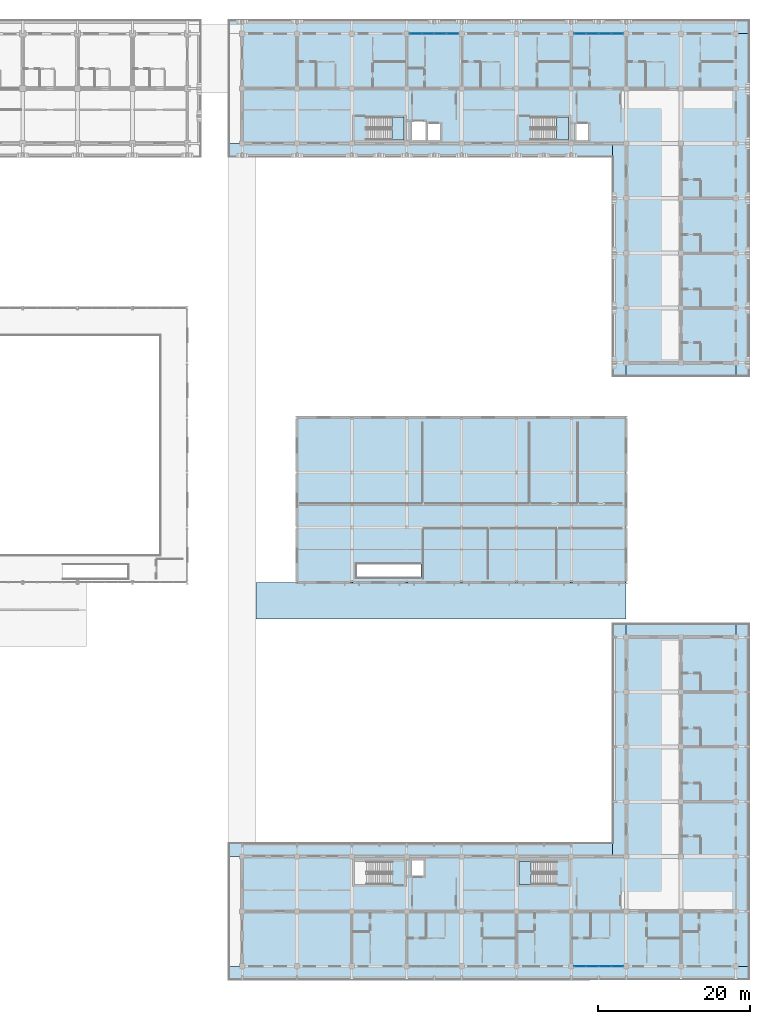
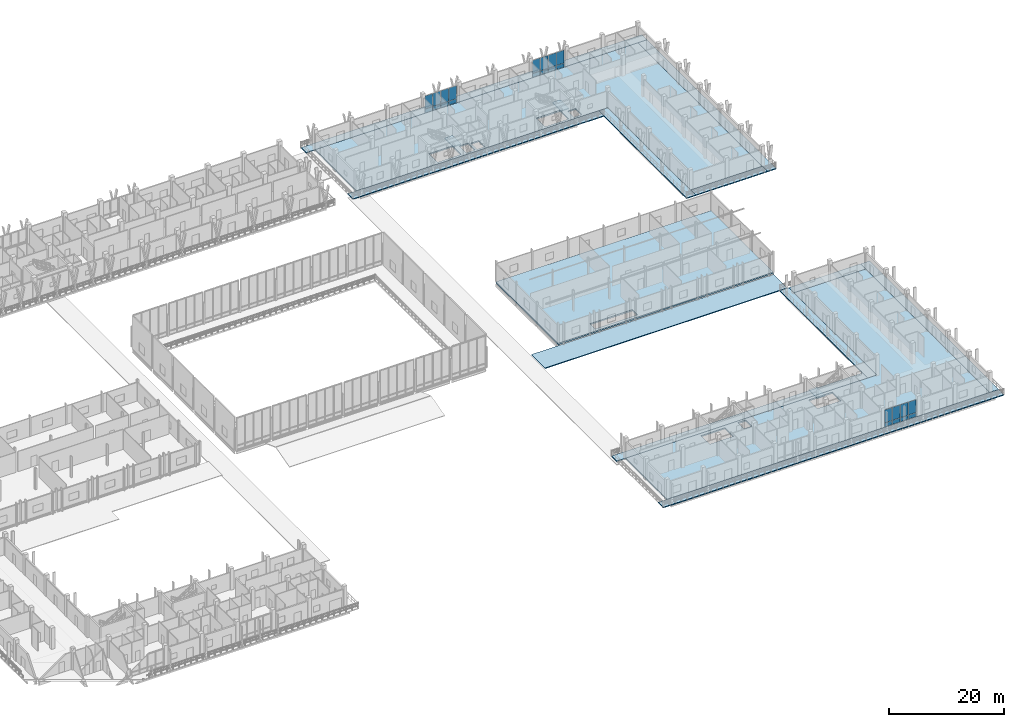
# One storey, part 61 of 110: 24 plates, 17 slabs, 6 elements without a shape of their own.
"""IFC4 building model written with IfcOpenShell, lengths in metres."""

from ifc_helpers import new_model, si_unit, direction, frame, origin, origin_2d, place, context, subcontext, project, spatial, polyline, rectangle, outline, extrude, material, layer, layer_set, type_object, element, aggregate, save


model = new_model("IFC4")

# Units and contexts
model_context = context("Model", 3, precision=1e-05, world=origin(), true_north=direction((0.0, 1.0)))
body_context = subcontext(model_context, "Body", "Model", "MODEL_VIEW")
ifc_project = project(units=[si_unit("LENGTHUNIT", "METRE"), si_unit("AREAUNIT", "SQUARE_METRE"), si_unit("VOLUMEUNIT", "CUBIC_METRE"), si_unit("PLANEANGLEUNIT", "RADIAN"), si_unit("MASSUNIT", "GRAM", prefix="KILO")], contexts=[model_context])

# Site, building, storey
site_placement = place(None, origin())
site = spatial("IfcSite", under=ifc_project, at=site_placement, CompositionType="ELEMENT")
building_placement = place(site_placement, origin())
building = spatial("IfcBuilding", under=site, at=building_placement, Name="Suanplinth Sawtooth Commons", CompositionType="ELEMENT")
storey_placement = place(building_placement, frame((0.0, 0.0, 4.5)))
storey = spatial("IfcBuildingStorey", under=building, at=storey_placement, Name="L01", CompositionType="ELEMENT", Elevation=4.5)

# Curtain wall, plates
ifc_material_1 = material(Name="Anodized aluminium and low-E glazing", Category="aluminium")
curtain_wall_type = type_object("IfcCurtainWallType", Name="CW-06", PredefinedType="USERDEFINED", material=ifc_material_1)
curtain_wall_1_placement = place(storey_placement, origin())
curtain_wall_1 = element("IfcCurtainWall", 1, at=curtain_wall_1_placement, inside=storey, type_object=curtain_wall_type, Name="Curtain Wall CW-L01-B-LOUNGE-20", ObjectType="CURTAIN WALL", PredefinedType="USERDEFINED")
ifc_material_2 = material(Name="Tempered low-E double glazing", Category="glass")
ifc_layer_1 = layer(ifc_material_2, 0.028076171875, Name="Vision low-E insulated glazing unit 28mm")
ifc_layer_set_1 = layer_set([ifc_layer_1], Name="Tempered low-E double glazing")
plate_type = type_object("IfcPlateType", Name="PL-05", PredefinedType="CURTAIN_PANEL", material=ifc_layer_set_1)
plate_1_placement = place(storey_placement, frame((145.1787109375, 122.39990234375, 0.06494140625), z_axis=(0.0, 0.0, 1.0), x_axis=(1.0, 0.0, 0.0)))
plate_1 = element("IfcPlate", 2, at=plate_1_placement, type_object=plate_type, Name="CW-06 panel 1.1", PredefinedType="CURTAIN_PANEL", context=body_context, shape_type="SweptSolid", body=[
    extrude(rectangle(XDim=1.527587890625, YDim=0.028076171875, at=origin_2d()), origin(), (0.0, 0.0, 1.0), 0.802490234375),
])
plate_2_placement = place(storey_placement, frame((145.1787109375, 122.39990234375, 0.9326171875), z_axis=(0.0, 0.0, 1.0), x_axis=(1.0, 0.0, 0.0)))
plate_2 = element("IfcPlate", 3, at=plate_2_placement, type_object=plate_type, Name="CW-06 panel 1.2", PredefinedType="CURTAIN_PANEL", context=body_context, shape_type="SweptSolid", body=[
    extrude(rectangle(XDim=1.527587890625, YDim=0.028076171875, at=origin_2d()), origin(), (0.0, 0.0, 1.0), 2.732421875),
])
plate_3_placement = place(storey_placement, frame((146.78759765625, 122.39990234375, 0.06494140625), z_axis=(0.0, 0.0, 1.0), x_axis=(1.0, 0.0, 0.0)))
plate_3 = element("IfcPlate", 4, at=plate_3_placement, type_object=plate_type, Name="CW-06 panel 2.1", PredefinedType="CURTAIN_PANEL", context=body_context, shape_type="SweptSolid", body=[
    extrude(rectangle(XDim=1.56005859375, YDim=0.028076171875, at=origin_2d()), origin(), (0.0, 0.0, 1.0), 0.802490234375),
])
plate_4_placement = place(storey_placement, frame((146.78759765625, 122.39990234375, 0.9326171875), z_axis=(0.0, 0.0, 1.0), x_axis=(1.0, 0.0, 0.0)))
plate_4 = element("IfcPlate", 5, at=plate_4_placement, type_object=plate_type, Name="CW-06 panel 2.2", PredefinedType="CURTAIN_PANEL", context=body_context, shape_type="SweptSolid", body=[
    extrude(rectangle(XDim=1.56005859375, YDim=0.028076171875, at=origin_2d()), origin(), (0.0, 0.0, 1.0), 2.732421875),
])
plate_5_placement = place(storey_placement, frame((148.41259765625, 122.39990234375, 0.06494140625), z_axis=(0.0, 0.0, 1.0), x_axis=(1.0, 0.0, 0.0)))
plate_5 = element("IfcPlate", 6, at=plate_5_placement, type_object=plate_type, Name="CW-06 panel 3.1", PredefinedType="CURTAIN_PANEL", context=body_context, shape_type="SweptSolid", body=[
    extrude(rectangle(XDim=1.56005859375, YDim=0.028076171875, at=origin_2d()), origin(), (0.0, 0.0, 1.0), 0.802490234375),
])
plate_6_placement = place(storey_placement, frame((148.41259765625, 122.39990234375, 0.9326171875), z_axis=(0.0, 0.0, 1.0), x_axis=(1.0, 0.0, 0.0)))
plate_6 = element("IfcPlate", 7, at=plate_6_placement, type_object=plate_type, Name="CW-06 panel 3.2", PredefinedType="CURTAIN_PANEL", context=body_context, shape_type="SweptSolid", body=[
    extrude(rectangle(XDim=1.56005859375, YDim=0.028076171875, at=origin_2d()), origin(), (0.0, 0.0, 1.0), 2.732421875),
])
plate_7_placement = place(storey_placement, frame((150.021240234375, 122.39990234375, 0.06494140625), z_axis=(0.0, 0.0, 1.0), x_axis=(1.0, 0.0, 0.0)))
plate_7 = element("IfcPlate", 8, at=plate_7_placement, type_object=plate_type, Name="CW-06 panel 4.1", PredefinedType="CURTAIN_PANEL", context=body_context, shape_type="SweptSolid", body=[
    extrude(rectangle(XDim=1.527587890625, YDim=0.028076171875, at=origin_2d()), origin(), (0.0, 0.0, 1.0), 0.802490234375),
])
plate_8_placement = place(storey_placement, frame((150.021240234375, 122.39990234375, 0.9326171875), z_axis=(0.0, 0.0, 1.0), x_axis=(1.0, 0.0, 0.0)))
plate_8 = element("IfcPlate", 9, at=plate_8_placement, type_object=plate_type, Name="CW-06 panel 4.2", PredefinedType="CURTAIN_PANEL", context=body_context, shape_type="SweptSolid", body=[
    extrude(rectangle(XDim=1.527587890625, YDim=0.028076171875, at=origin_2d()), origin(), (0.0, 0.0, 1.0), 2.732421875),
])
aggregate(curtain_wall_1, [plate_1, plate_2, plate_3, plate_4, plate_5, plate_6, plate_7, plate_8])

curtain_wall_2_placement = place(storey_placement, origin())
curtain_wall_2 = element("IfcCurtainWall", 10, at=curtain_wall_2_placement, inside=storey, type_object=curtain_wall_type, Name="Curtain Wall CW-L01-B-LOUNGE-23", ObjectType="CURTAIN WALL", PredefinedType="USERDEFINED")
plate_9_placement = place(storey_placement, frame((166.77880859375, 122.39990234375, 0.06494140625), z_axis=(0.0, 0.0, 1.0), x_axis=(1.0, 0.0, 0.0)))
plate_9 = element("IfcPlate", 11, at=plate_9_placement, type_object=plate_type, Name="CW-06 panel 1.1", PredefinedType="CURTAIN_PANEL", context=body_context, shape_type="SweptSolid", body=[
    extrude(rectangle(XDim=1.527587890625, YDim=0.028076171875, at=origin_2d()), origin(), (0.0, 0.0, 1.0), 0.802490234375),
])
plate_10_placement = place(storey_placement, frame((166.77880859375, 122.39990234375, 0.9326171875), z_axis=(0.0, 0.0, 1.0), x_axis=(1.0, 0.0, 0.0)))
plate_10 = element("IfcPlate", 12, at=plate_10_placement, type_object=plate_type, Name="CW-06 panel 1.2", PredefinedType="CURTAIN_PANEL", context=body_context, shape_type="SweptSolid", body=[
    extrude(rectangle(XDim=1.527587890625, YDim=0.028076171875, at=origin_2d()), origin(), (0.0, 0.0, 1.0), 2.732421875),
])
plate_11_placement = place(storey_placement, frame((168.387451171875, 122.39990234375, 0.06494140625), z_axis=(0.0, 0.0, 1.0), x_axis=(1.0, 0.0, 0.0)))
plate_11 = element("IfcPlate", 13, at=plate_11_placement, type_object=plate_type, Name="CW-06 panel 2.1", PredefinedType="CURTAIN_PANEL", context=body_context, shape_type="SweptSolid", body=[
    extrude(rectangle(XDim=1.56005859375, YDim=0.028076171875, at=origin_2d()), origin(), (0.0, 0.0, 1.0), 0.802490234375),
])
plate_12_placement = place(storey_placement, frame((168.387451171875, 122.39990234375, 0.9326171875), z_axis=(0.0, 0.0, 1.0), x_axis=(1.0, 0.0, 0.0)))
plate_12 = element("IfcPlate", 14, at=plate_12_placement, type_object=plate_type, Name="CW-06 panel 2.2", PredefinedType="CURTAIN_PANEL", context=body_context, shape_type="SweptSolid", body=[
    extrude(rectangle(XDim=1.56005859375, YDim=0.028076171875, at=origin_2d()), origin(), (0.0, 0.0, 1.0), 2.732421875),
])
plate_13_placement = place(storey_placement, frame((170.012451171875, 122.39990234375, 0.06494140625), z_axis=(0.0, 0.0, 1.0), x_axis=(1.0, 0.0, 0.0)))
plate_13 = element("IfcPlate", 15, at=plate_13_placement, type_object=plate_type, Name="CW-06 panel 3.1", PredefinedType="CURTAIN_PANEL", context=body_context, shape_type="SweptSolid", body=[
    extrude(rectangle(XDim=1.56005859375, YDim=0.028076171875, at=origin_2d()), origin(), (0.0, 0.0, 1.0), 0.802490234375),
])
plate_14_placement = place(storey_placement, frame((170.012451171875, 122.39990234375, 0.9326171875), z_axis=(0.0, 0.0, 1.0), x_axis=(1.0, 0.0, 0.0)))
plate_14 = element("IfcPlate", 16, at=plate_14_placement, type_object=plate_type, Name="CW-06 panel 3.2", PredefinedType="CURTAIN_PANEL", context=body_context, shape_type="SweptSolid", body=[
    extrude(rectangle(XDim=1.56005859375, YDim=0.028076171875, at=origin_2d()), origin(), (0.0, 0.0, 1.0), 2.732421875),
])
plate_15_placement = place(storey_placement, frame((171.621337890625, 122.39990234375, 0.06494140625), z_axis=(0.0, 0.0, 1.0), x_axis=(1.0, 0.0, 0.0)))
plate_15 = element("IfcPlate", 17, at=plate_15_placement, type_object=plate_type, Name="CW-06 panel 4.1", PredefinedType="CURTAIN_PANEL", context=body_context, shape_type="SweptSolid", body=[
    extrude(rectangle(XDim=1.527587890625, YDim=0.028076171875, at=origin_2d()), origin(), (0.0, 0.0, 1.0), 0.802490234375),
])
plate_16_placement = place(storey_placement, frame((171.621337890625, 122.39990234375, 0.9326171875), z_axis=(0.0, 0.0, 1.0), x_axis=(1.0, 0.0, 0.0)))
plate_16 = element("IfcPlate", 18, at=plate_16_placement, type_object=plate_type, Name="CW-06 panel 4.2", PredefinedType="CURTAIN_PANEL", context=body_context, shape_type="SweptSolid", body=[
    extrude(rectangle(XDim=1.527587890625, YDim=0.028076171875, at=origin_2d()), origin(), (0.0, 0.0, 1.0), 2.732421875),
])
aggregate(curtain_wall_2, [plate_9, plate_10, plate_11, plate_12, plate_13, plate_14, plate_15, plate_16])

curtain_wall_3_placement = place(storey_placement, origin())
curtain_wall_3 = element("IfcCurtainWall", 19, at=curtain_wall_3_placement, inside=storey, type_object=curtain_wall_type, Name="Curtain Wall CW-L01-C-LOUNGE-23", ObjectType="CURTAIN WALL", PredefinedType="USERDEFINED")
plate_17_placement = place(storey_placement, frame((166.77880859375, 0.0, 0.06494140625), z_axis=(0.0, 0.0, 1.0), x_axis=(1.0, 0.0, 0.0)))
plate_17 = element("IfcPlate", 20, at=plate_17_placement, type_object=plate_type, Name="CW-06 panel 1.1", PredefinedType="CURTAIN_PANEL", context=body_context, shape_type="SweptSolid", body=[
    extrude(rectangle(XDim=1.527587890625, YDim=0.028076171875, at=origin_2d()), origin(), (0.0, 0.0, 1.0), 0.802490234375),
])
plate_18_placement = place(storey_placement, frame((166.77880859375, 0.0, 0.9326171875), z_axis=(0.0, 0.0, 1.0), x_axis=(1.0, 0.0, 0.0)))
plate_18 = element("IfcPlate", 21, at=plate_18_placement, type_object=plate_type, Name="CW-06 panel 1.2", PredefinedType="CURTAIN_PANEL", context=body_context, shape_type="SweptSolid", body=[
    extrude(rectangle(XDim=1.527587890625, YDim=0.028076171875, at=origin_2d()), origin(), (0.0, 0.0, 1.0), 2.732421875),
])
plate_19_placement = place(storey_placement, frame((168.387451171875, 0.0, 0.06494140625), z_axis=(0.0, 0.0, 1.0), x_axis=(1.0, 0.0, 0.0)))
plate_19 = element("IfcPlate", 22, at=plate_19_placement, type_object=plate_type, Name="CW-06 panel 2.1", PredefinedType="CURTAIN_PANEL", context=body_context, shape_type="SweptSolid", body=[
    extrude(rectangle(XDim=1.56005859375, YDim=0.028076171875, at=origin_2d()), origin(), (0.0, 0.0, 1.0), 0.802490234375),
])
plate_20_placement = place(storey_placement, frame((168.387451171875, 0.0, 0.9326171875), z_axis=(0.0, 0.0, 1.0), x_axis=(1.0, 0.0, 0.0)))
plate_20 = element("IfcPlate", 23, at=plate_20_placement, type_object=plate_type, Name="CW-06 panel 2.2", PredefinedType="CURTAIN_PANEL", context=body_context, shape_type="SweptSolid", body=[
    extrude(rectangle(XDim=1.56005859375, YDim=0.028076171875, at=origin_2d()), origin(), (0.0, 0.0, 1.0), 2.732421875),
])
plate_21_placement = place(storey_placement, frame((170.012451171875, 0.0, 0.06494140625), z_axis=(0.0, 0.0, 1.0), x_axis=(1.0, 0.0, 0.0)))
plate_21 = element("IfcPlate", 24, at=plate_21_placement, type_object=plate_type, Name="CW-06 panel 3.1", PredefinedType="CURTAIN_PANEL", context=body_context, shape_type="SweptSolid", body=[
    extrude(rectangle(XDim=1.56005859375, YDim=0.028076171875, at=origin_2d()), origin(), (0.0, 0.0, 1.0), 0.802490234375),
])
plate_22_placement = place(storey_placement, frame((170.012451171875, 0.0, 0.9326171875), z_axis=(0.0, 0.0, 1.0), x_axis=(1.0, 0.0, 0.0)))
plate_22 = element("IfcPlate", 25, at=plate_22_placement, type_object=plate_type, Name="CW-06 panel 3.2", PredefinedType="CURTAIN_PANEL", context=body_context, shape_type="SweptSolid", body=[
    extrude(rectangle(XDim=1.56005859375, YDim=0.028076171875, at=origin_2d()), origin(), (0.0, 0.0, 1.0), 2.732421875),
])
plate_23_placement = place(storey_placement, frame((171.621337890625, 0.0, 0.06494140625), z_axis=(0.0, 0.0, 1.0), x_axis=(1.0, 0.0, 0.0)))
plate_23 = element("IfcPlate", 26, at=plate_23_placement, type_object=plate_type, Name="CW-06 panel 4.1", PredefinedType="CURTAIN_PANEL", context=body_context, shape_type="SweptSolid", body=[
    extrude(rectangle(XDim=1.527587890625, YDim=0.028076171875, at=origin_2d()), origin(), (0.0, 0.0, 1.0), 0.802490234375),
])
plate_24_placement = place(storey_placement, frame((171.621337890625, 0.0, 0.9326171875), z_axis=(0.0, 0.0, 1.0), x_axis=(1.0, 0.0, 0.0)))
plate_24 = element("IfcPlate", 27, at=plate_24_placement, type_object=plate_type, Name="CW-06 panel 4.2", PredefinedType="CURTAIN_PANEL", context=body_context, shape_type="SweptSolid", body=[
    extrude(rectangle(XDim=1.527587890625, YDim=0.028076171875, at=origin_2d()), origin(), (0.0, 0.0, 1.0), 2.732421875),
])
aggregate(curtain_wall_3, [plate_17, plate_18, plate_19, plate_20, plate_21, plate_22, plate_23, plate_24])

# Slabs
ifc_material_3 = material(Name="Precast concrete C40/50", Category="concrete")
ifc_layer_2 = layer(ifc_material_3, 0.179931640625, Name="Wrap-around cantilevered precast balcony slab 180mm")
ifc_layer_set_2 = layer_set([ifc_layer_2], Name="Precast concrete C40/50")
slab_type_1 = type_object("IfcSlabType", Name="S-BL01", PredefinedType="FLOOR", material=ifc_layer_set_2)
slab_1_placement = place(storey_placement, frame((0.0, 0.0, -0.179931640625)))
element("IfcSlab", 28, at=slab_1_placement, inside=storey, type_object=slab_type_1, Name="L01 Block B Wrap-Around Balcony N", PredefinedType="FLOOR", context=body_context, shape_type="SweptSolid", body=[
    extrude(outline(polyline([(120.60009765625, 122.39990234375), (120.60009765625, 124.199951171875), (189.0, 124.199951171875), (189.0, 122.39990234375), (120.60009765625, 122.39990234375)])), origin(), (0.0, 0.0, 1.0), 0.179931640625),
])
slab_2_placement = place(storey_placement, frame((0.0, 0.0, -0.179931640625)))
element("IfcSlab", 29, at=slab_2_placement, inside=storey, type_object=slab_type_1, Name="L01 Block B Wrap-Around Balcony E", PredefinedType="FLOOR", context=body_context, shape_type="SweptSolid", body=[
    extrude(outline(polyline([(189.0, 122.39990234375), (189.0, 77.39990234375), (187.199951171875, 77.39990234375), (187.199951171875, 122.39990234375), (189.0, 122.39990234375)])), origin(), (0.0, 0.0, 1.0), 0.179931640625),
])
slab_3_placement = place(storey_placement, frame((0.0, 0.0, -0.179931640625)))
element("IfcSlab", 30, at=slab_3_placement, inside=storey, type_object=slab_type_1, Name="L01 Block B Wrap-Around Balcony SEND", PredefinedType="FLOOR", context=body_context, shape_type="SweptSolid", body=[
    extrude(outline(polyline([(187.199951171875, 77.39990234375), (172.800048828125, 77.39990234375), (172.800048828125, 79.199951171875), (187.199951171875, 79.199951171875), (187.199951171875, 77.39990234375)])), origin(), (0.0, 0.0, 1.0), 0.179931640625),
])
slab_4_placement = place(storey_placement, frame((0.0, 0.0, -0.179931640625)))
element("IfcSlab", 31, at=slab_4_placement, inside=storey, type_object=slab_type_1, Name="L01 Block C Wrap-Around Balcony S", PredefinedType="FLOOR", context=body_context, shape_type="SweptSolid", body=[
    extrude(outline(polyline([(189.0, 0.0), (189.0, -1.800048828125), (120.60009765625, -1.800048828125), (120.60009765625, 0.0), (189.0, 0.0)])), origin(), (0.0, 0.0, 1.0), 0.179931640625),
])
slab_5_placement = place(storey_placement, frame((0.0, 0.0, -0.179931640625)))
element("IfcSlab", 32, at=slab_5_placement, inside=storey, type_object=slab_type_1, Name="L01 Block C Wrap-Around Balcony E", PredefinedType="FLOOR", context=body_context, shape_type="SweptSolid", body=[
    extrude(outline(polyline([(187.199951171875, 45.0), (189.0, 45.0), (189.0, 0.0), (187.199951171875, 0.0), (187.199951171875, 45.0)])), origin(), (0.0, 0.0, 1.0), 0.179931640625),
])
slab_6_placement = place(storey_placement, frame((0.0, 0.0, -0.179931640625)))
element("IfcSlab", 33, at=slab_6_placement, inside=storey, type_object=slab_type_1, Name="L01 Block C Wrap-Around Balcony NEND", PredefinedType="FLOOR", context=body_context, shape_type="SweptSolid", body=[
    extrude(outline(polyline([(172.800048828125, 45.0), (187.199951171875, 45.0), (187.199951171875, 43.199951171875), (172.800048828125, 43.199951171875), (172.800048828125, 45.0)])), origin(), (0.0, 0.0, 1.0), 0.179931640625),
])
ifc_layer_3 = layer(ifc_material_3, 0.175048828125, Name="Courtyard cantilevered precast balcony slab 175mm")
ifc_layer_set_3 = layer_set([ifc_layer_3], Name="Precast concrete C40/50")
slab_type_2 = type_object("IfcSlabType", Name="S-BL02", PredefinedType="FLOOR", material=ifc_layer_set_3)
slab_7_placement = place(storey_placement, frame((0.0, 0.0, -0.175048828125)))
element("IfcSlab", 34, at=slab_7_placement, inside=storey, type_object=slab_type_2, Name="L01 Block B Wrap-Around Balcony SC", PredefinedType="FLOOR", context=body_context, shape_type="SweptSolid", body=[
    extrude(outline(polyline([(171.0, 106.199951171875), (120.60009765625, 106.199951171875), (120.60009765625, 108.0), (171.0, 108.0), (171.0, 106.199951171875)])), origin(), (0.0, 0.0, 1.0), 0.175048828125),
])
slab_8_placement = place(storey_placement, frame((0.0, 0.0, -0.175048828125)))
element("IfcSlab", 35, at=slab_8_placement, inside=storey, type_object=slab_type_2, Name="L01 Block B Wrap-Around Balcony WC", PredefinedType="FLOOR", context=body_context, shape_type="SweptSolid", body=[
    extrude(outline(polyline([(172.800048828125, 77.39990234375), (171.0, 77.39990234375), (171.0, 108.0), (172.800048828125, 108.0), (172.800048828125, 77.39990234375)])), origin(), (0.0, 0.0, 1.0), 0.175048828125),
])
slab_9_placement = place(storey_placement, frame((0.0, 0.0, -0.175048828125)))
element("IfcSlab", 36, at=slab_9_placement, inside=storey, type_object=slab_type_2, Name="L01 Block C Wrap-Around Balcony NC", PredefinedType="FLOOR", context=body_context, shape_type="SweptSolid", body=[
    extrude(outline(polyline([(120.60009765625, 14.39990234375), (120.60009765625, 16.199951171875), (171.0, 16.199951171875), (171.0, 14.39990234375), (120.60009765625, 14.39990234375)])), origin(), (0.0, 0.0, 1.0), 0.175048828125),
])
slab_10_placement = place(storey_placement, frame((0.0, 0.0, -0.175048828125)))
element("IfcSlab", 37, at=slab_10_placement, inside=storey, type_object=slab_type_2, Name="L01 Block C Wrap-Around Balcony WC", PredefinedType="FLOOR", context=body_context, shape_type="SweptSolid", body=[
    extrude(outline(polyline([(172.800048828125, 14.39990234375), (171.0, 14.39990234375), (171.0, 45.0), (172.800048828125, 45.0), (172.800048828125, 14.39990234375)])), origin(), (0.0, 0.0, 1.0), 0.175048828125),
])

# Stair, slab
ifc_material_4 = material(Name="Concrete C40/50", Category="concrete")
stair_type = type_object("IfcStairType", Name="ST-06", PredefinedType="USERDEFINED", material=ifc_material_4)
stair_1_placement = place(storey_placement, origin())
stair_1 = element("IfcStair", 38, at=stair_1_placement, inside=storey, type_object=stair_type, Name="L01 Exit Stair ST-E1", ObjectType="TWO_RETURN_STAIR", PredefinedType="USERDEFINED")
ifc_layer_4 = layer(ifc_material_4, 0.199951171875, Name="Reinforced concrete stair and ramp landing slab 200mm")
ifc_layer_set_4 = layer_set([ifc_layer_4], Name="Concrete C40/50")
slab_type_3 = type_object("IfcSlabType", Name="S-LD01", PredefinedType="LANDING", material=ifc_layer_set_4)
slab_11_placement = place(storey_placement, frame((0.0, 0.0, 2.050048828125)))
slab_11 = element("IfcSlab", 39, at=slab_11_placement, type_object=slab_type_3, Name="ST-06 landing 1", PredefinedType="LANDING", context=body_context, shape_type="SweptSolid", body=[
    extrude(outline(polyline([(142.070068359375, 108.449951171875), (143.64990234375, 108.449951171875), (143.64990234375, 111.449951171875), (142.070068359375, 111.449951171875), (142.070068359375, 108.449951171875)])), origin(), (0.0, 0.0, 1.0), 0.199951171875),
])
aggregate(stair_1, [slab_11])

stair_2_placement = place(storey_placement, origin())
stair_2 = element("IfcStair", 40, at=stair_2_placement, inside=storey, type_object=stair_type, Name="L01 Exit Stair ST-E2", ObjectType="TWO_RETURN_STAIR", PredefinedType="USERDEFINED")
slab_12_placement = place(storey_placement, frame((0.0, 0.0, 2.050048828125)))
slab_12 = element("IfcSlab", 41, at=slab_12_placement, type_object=slab_type_3, Name="ST-06 landing 1", PredefinedType="LANDING", context=body_context, shape_type="SweptSolid", body=[
    extrude(outline(polyline([(163.669921875, 108.449951171875), (165.25, 108.449951171875), (165.25, 111.449951171875), (163.669921875, 111.449951171875), (163.669921875, 108.449951171875)])), origin(), (0.0, 0.0, 1.0), 0.199951171875),
])
aggregate(stair_2, [slab_12])

stair_3_placement = place(storey_placement, origin())
stair_3 = element("IfcStair", 42, at=stair_3_placement, inside=storey, type_object=stair_type, Name="L01 Exit Stair ST-S2", ObjectType="TWO_RETURN_STAIR", PredefinedType="USERDEFINED")
slab_13_placement = place(storey_placement, frame((0.0, 0.0, 2.050048828125)))
slab_13 = element("IfcSlab", 43, at=slab_13_placement, type_object=slab_type_3, Name="ST-06 landing 1", PredefinedType="LANDING", context=body_context, shape_type="SweptSolid", body=[
    extrude(outline(polyline([(160.330078125, 13.75), (158.75, 13.75), (158.75, 10.75), (160.330078125, 10.75), (160.330078125, 13.75)])), origin(), (0.0, 0.0, 1.0), 0.199951171875),
])
aggregate(stair_3, [slab_13])

# Slabs
ifc_layer_5 = layer(ifc_material_4, 0.300048828125, Name="Upper civic plinth RC floor slab 300mm")
ifc_layer_set_5 = layer_set([ifc_layer_5], Name="Concrete C40/50")
slab_type_4 = type_object("IfcSlabType", Name="S-PL02", PredefinedType="FLOOR", material=ifc_layer_set_5)
slab_14_placement = place(storey_placement, frame((0.0, 0.0, -0.300048828125)))
element("IfcSlab", 44, at=slab_14_placement, inside=storey, type_object=slab_type_4, Name="L01 Block B Structural Floor Plate", PredefinedType="FLOOR", context=body_context, shape_type="SweptSolid", body=[
    extrude(outline(polyline([(172.800048828125, 108.0), (122.39990234375, 108.0), (122.39990234375, 122.39990234375), (187.199951171875, 122.39990234375), (187.199951171875, 79.199951171875), (172.800048828125, 79.199951171875), (172.800048828125, 108.0)]), holes=[polyline([(138.889892578125, 108.449951171875), (143.64990234375, 108.449951171875), (143.64990234375, 111.449951171875), (138.889892578125, 111.449951171875), (138.889892578125, 108.449951171875)]), polyline([(144.64990234375, 108.449951171875), (146.449951171875, 108.449951171875), (146.449951171875, 110.85009765625), (144.64990234375, 110.85009765625), (144.64990234375, 108.449951171875)]), polyline([(146.800048828125, 108.449951171875), (148.39990234375, 108.449951171875), (148.39990234375, 110.550048828125), (146.800048828125, 110.550048828125), (146.800048828125, 108.449951171875)]), polyline([(160.489990234375, 108.449951171875), (165.25, 108.449951171875), (165.25, 111.449951171875), (160.489990234375, 111.449951171875), (160.489990234375, 108.449951171875)]), polyline([(166.25, 108.449951171875), (167.85009765625, 108.449951171875), (167.85009765625, 110.550048828125), (166.25, 110.550048828125), (166.25, 108.449951171875)])]), origin(), (0.0, 0.0, 1.0), 0.300048828125),
])
slab_15_placement = place(storey_placement, frame((0.0, 0.0, -0.300048828125)))
element("IfcSlab", 45, at=slab_15_placement, inside=storey, type_object=slab_type_4, Name="L01 Block C Structural Floor Plate", PredefinedType="FLOOR", context=body_context, shape_type="SweptSolid", body=[
    extrude(outline(polyline([(187.199951171875, 0.0), (122.39990234375, 0.0), (122.39990234375, 14.39990234375), (172.800048828125, 14.39990234375), (172.800048828125, 43.199951171875), (187.199951171875, 43.199951171875), (187.199951171875, 0.0)]), holes=[polyline([(137.14990234375, 10.75), (141.909912109375, 10.75), (141.909912109375, 13.75), (137.14990234375, 13.75), (137.14990234375, 10.75)]), polyline([(144.64990234375, 11.85009765625), (146.25, 11.85009765625), (146.25, 13.949951171875), (144.64990234375, 13.949951171875), (144.64990234375, 11.85009765625)]), polyline([(158.75, 10.75), (163.510009765625, 10.75), (163.510009765625, 13.75), (158.75, 13.75), (158.75, 10.75)])]), origin(), (0.0, 0.0, 1.0), 0.300048828125),
])
slab_16_placement = place(storey_placement, frame((0.0, 0.0, -0.300048828125)))
element("IfcSlab", 46, at=slab_16_placement, inside=storey, type_object=slab_type_4, Name="L01 East Nursery and Maternal Clinic Upper Slab", PredefinedType="FLOOR", context=body_context, shape_type="SweptSolid", body=[
    extrude(outline(polyline([(129.60009765625, 50.39990234375), (172.800048828125, 50.39990234375), (172.800048828125, 72.0), (129.60009765625, 72.0), (129.60009765625, 50.39990234375)]), holes=[polyline([(137.39990234375, 51.0), (145.89990234375, 51.0), (145.89990234375, 52.800048828125), (137.39990234375, 52.800048828125), (137.39990234375, 51.0)])]), origin(), (0.0, 0.0, 1.0), 0.300048828125),
])
ifc_material_5 = material(Name="Concrete C35/45", Category="concrete")
ifc_layer_6 = layer(ifc_material_5, 0.159912109375, Name="Market gable & breezeway canopy roof slab 160mm")
ifc_layer_set_6 = layer_set([ifc_layer_6], Name="Concrete C35/45")
slab_type_5 = type_object("IfcSlabType", Name="S-RF03", PredefinedType="ROOF", material=ifc_layer_set_6)
slab_17_placement = place(storey_placement, frame((0.0, 0.0, -0.60009765625)))
element("IfcSlab", 47, at=slab_17_placement, inside=storey, type_object=slab_type_5, Name="Nursery Courtyard Play Veranda Canopy", PredefinedType="ROOF", context=body_context, shape_type="SweptSolid", body=[
    extrude(outline(polyline([(124.199951171875, 45.60009765625), (172.800048828125, 45.60009765625), (172.800048828125, 50.35009765625), (124.199951171875, 50.35009765625), (124.199951171875, 45.60009765625)])), origin(), (0.0, 0.0, 1.0), 0.16015625),
])

save(model, "model.ifc")
